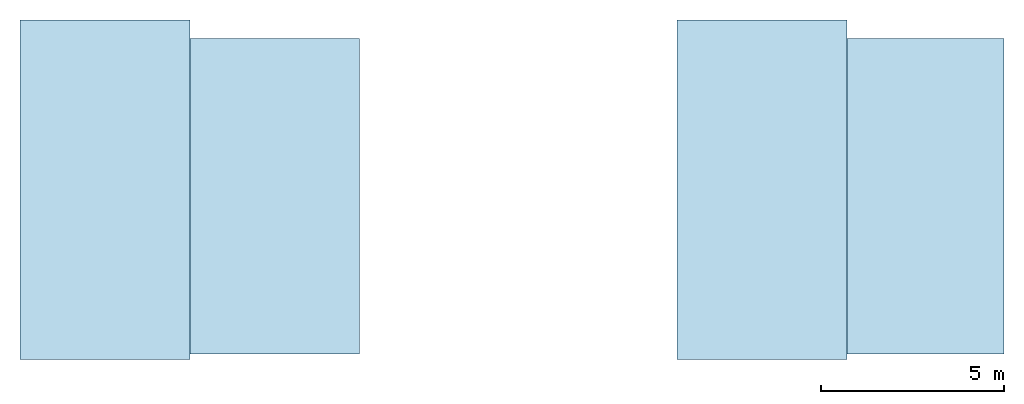
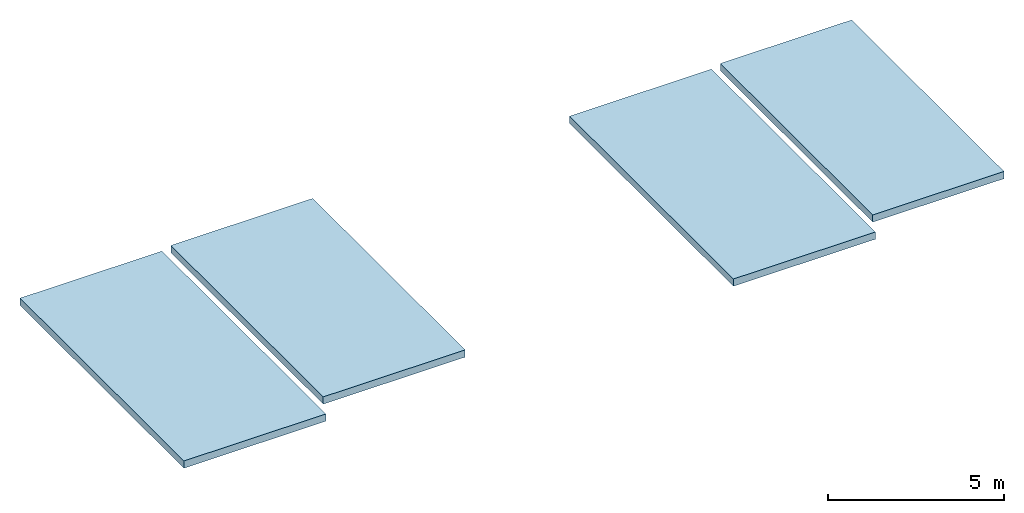
# One storey: 4 slabs.
"""IFC4 building model written with IfcOpenShell, lengths in metres."""

from ifc_helpers import new_model, si_unit, direction, frame, origin, place, context, subcontext, project, spatial, polyline, outline, extrude, material, layer, layer_set, type_object, element, save


model = new_model("IFC4")

# Units and contexts
model_context = context("Model", 3, precision=1e-05, world=origin(), true_north=direction((0.0, 1.0)))
body_context = subcontext(model_context, "Body", "Model", "MODEL_VIEW")
ifc_project = project(units=[si_unit("LENGTHUNIT", "METRE"), si_unit("AREAUNIT", "SQUARE_METRE"), si_unit("VOLUMEUNIT", "CUBIC_METRE"), si_unit("PLANEANGLEUNIT", "RADIAN"), si_unit("MASSUNIT", "GRAM", prefix="KILO")], contexts=[model_context])

# Site, building, storey
site_placement = place(None, origin())
site = spatial("IfcSite", under=ifc_project, at=site_placement, CompositionType="ELEMENT")
building_placement = place(site_placement, origin())
building = spatial("IfcBuilding", under=site, at=building_placement, Name="Aurelan Courthouse", CompositionType="ELEMENT")
storey_placement = place(building_placement, frame((0.0, 0.0, 65.5)))
storey = spatial("IfcBuildingStorey", under=building, at=storey_placement, Name="ROOF LEVEL", CompositionType="ELEMENT", Elevation=65.5)

# Slabs
ifc_material = material(Name="Concrete C40", Category="concrete")
ifc_layer_1 = layer(ifc_material, 0.25)
ifc_layer_set_1 = layer_set([ifc_layer_1], Name="Concrete C40")
slab_type_1 = type_object("IfcSlabType", Name="Head house roof slab 250", PredefinedType="ROOF", material=ifc_layer_set_1)
slab_1_placement = place(storey_placement, origin())
element("IfcSlab", 1, at=slab_1_placement, inside=storey, type_object=slab_type_1, Name="Head house roof HH-ST-5A", PredefinedType="ROOF", context=body_context, shape_type="SweptSolid", body=[
    extrude(outline(polyline([(17.699951171875, 19.35009765625), (22.35009765625, 19.35009765625), (22.35009765625, 28.64990234375), (17.699951171875, 28.64990234375), (17.699951171875, 19.35009765625)])), origin(), (0.0, 0.0, 1.0), 0.25),
])
slab_2_placement = place(storey_placement, origin())
element("IfcSlab", 2, at=slab_2_placement, inside=storey, type_object=slab_type_1, Name="Head house roof HH-ST-5B", PredefinedType="ROOF", context=body_context, shape_type="SweptSolid", body=[
    extrude(outline(polyline([(-0.300048828125, 19.35009765625), (4.35009765625, 19.35009765625), (4.35009765625, 28.64990234375), (-0.300048828125, 28.64990234375), (-0.300048828125, 19.35009765625)])), origin(), (0.0, 0.0, 1.0), 0.25),
])
ifc_layer_2 = layer(ifc_material, 0.25)
ifc_layer_set_2 = layer_set([ifc_layer_2], Name="Concrete C40")
slab_type_2 = type_object("IfcSlabType", Name="Overrun roof slab 250", PredefinedType="ROOF", material=ifc_layer_set_2)
slab_3_placement = place(storey_placement, frame((0.0, 0.0, 0.5)))
element("IfcSlab", 3, at=slab_3_placement, inside=storey, type_object=slab_type_2, Name="Overrun roof CR5-OV1", PredefinedType="ROOF", context=body_context, shape_type="SweptSolid", body=[
    extrude(outline(polyline([(4.35009765625, 19.5), (9.0, 19.5), (9.0, 28.14990234375), (4.35009765625, 28.14990234375), (4.35009765625, 19.5)])), origin(), (0.0, 0.0, 1.0), 0.25),
])
slab_4_placement = place(storey_placement, frame((0.0, 0.0, 0.5)))
element("IfcSlab", 4, at=slab_4_placement, inside=storey, type_object=slab_type_2, Name="Overrun roof CR5-OV2", PredefinedType="ROOF", context=body_context, shape_type="SweptSolid", body=[
    extrude(outline(polyline([(22.35009765625, 19.5), (26.64990234375, 19.5), (26.64990234375, 28.14990234375), (22.35009765625, 28.14990234375), (22.35009765625, 19.5)])), origin(), (0.0, 0.0, 1.0), 0.25),
])

save(model, "model.ifc")
